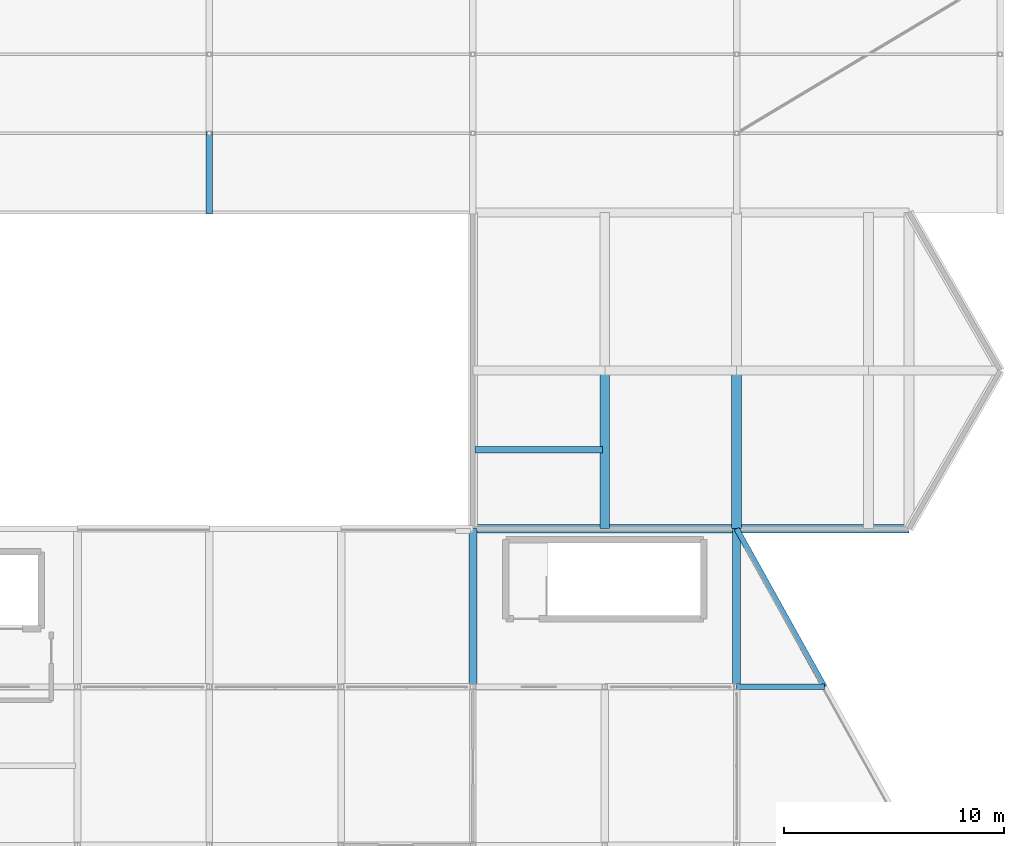
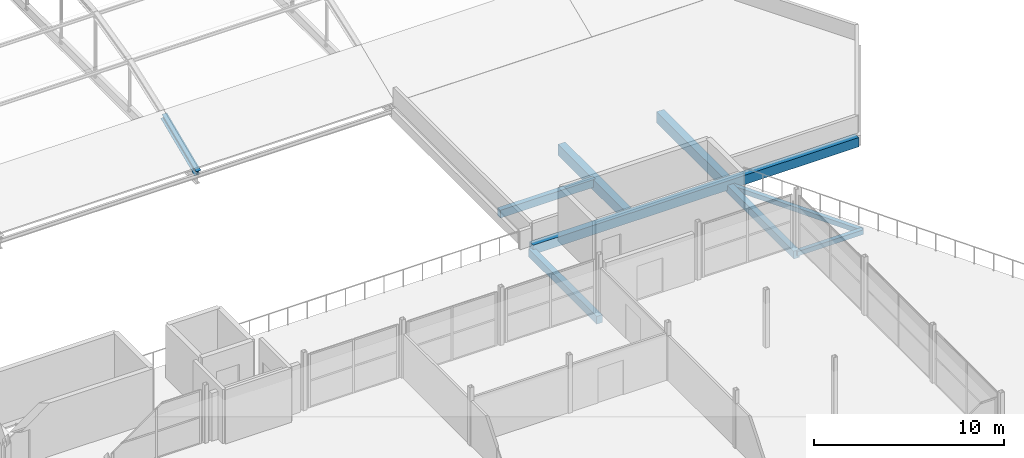
# One storey, part 168 of 239: 9 beams.
"""IFC4 building model written with IfcOpenShell, lengths in metres."""

import ifcopenshell
import ifcopenshell.guid

model = None  # the IFC model being written
_history = None  # IfcOwnerHistory: only IFC2X3 demands one
_inside = {}  # id of a spatial element -> (the spatial element, [elements in it])
_under = {}  # id of a project, library or spatial element -> (it, [spatial elements below it])
_declared = {}  # id of a project -> (the project, [libraries it declares])
_typed = {}  # id of a type object -> (the type object, [elements of that type])
_made_of = {}  # id of a material, layer set ... -> (it, [elements and type objects made of it])


def new_model(schema):
    """Start an empty IFC model of exactly this schema.

    Asked for "IFC4X3", IfcOpenShell would pick the latest addendum, in which some entities
    have other attributes; the version numbers below select the first issue.
    IFC2X3 requires an IfcOwnerHistory on every rooted entity: one is made here for all.
    """
    global model, _history
    if schema == "IFC4X3":
        model = ifcopenshell.file(schema_version=(4, 3, 0, 0))
    else:
        model = ifcopenshell.file(schema=schema)
    _inside.clear()
    _under.clear()
    _declared.clear()
    _typed.clear()
    _made_of.clear()
    _history = None
    if model.schema == "IFC2X3":
        org = make("IfcOrganization", Name="unknown")
        user = make(
            "IfcPersonAndOrganization",
            ThePerson=make("IfcPerson", FamilyName="unknown"),
            TheOrganization=org,
        )
        app = make(
            "IfcApplication",
            ApplicationDeveloper=org,
            Version="unknown",
            ApplicationFullName="unknown",
            ApplicationIdentifier="unknown",
        )
        _history = make(
            "IfcOwnerHistory",
            OwningUser=user,
            OwningApplication=app,
            ChangeAction="ADDED",
            CreationDate=0,
        )
    return model


def make(cls, **values):
    """One entity of the class cls with the attributes given. An attribute that is None is left unset."""
    return model.create_entity(
        cls, **{name: value for name, value in values.items() if value is not None}
    )


def rooted(cls, **values):
    """An entity with a GlobalId (a new one), such as an element, a storey or a relation."""
    return make(cls, GlobalId=ifcopenshell.guid.new(), OwnerHistory=_history, **values)


def si_unit(unit_type, name, prefix=None):
    """IfcSIUnit, for example si_unit("LENGTHUNIT", "METRE", prefix="MILLI")."""
    return make("IfcSIUnit", UnitType=unit_type, Prefix=prefix, Name=name)


def assignment(units):
    """IfcUnitAssignment: the units of a project."""
    return None if units is None else make("IfcUnitAssignment", Units=units)


def point(xyz):
    """IfcCartesianPoint."""
    return None if xyz is None else make("IfcCartesianPoint", Coordinates=xyz)


def direction(xyz):
    """IfcDirection."""
    return None if xyz is None else make("IfcDirection", DirectionRatios=xyz)


def frame(location, z_axis=None, x_axis=None):
    """IfcAxis2Placement3D, a coordinate frame: its origin and axes. An axis left out is left unset."""
    return make(
        "IfcAxis2Placement3D",
        Location=point(location),
        Axis=direction(z_axis),
        RefDirection=direction(x_axis),
    )


def frame_2d(location, x_axis=None):
    """IfcAxis2Placement2D, a coordinate frame in the plane: its origin and x axis."""
    return make(
        "IfcAxis2Placement2D", Location=point(location), RefDirection=direction(x_axis)
    )


def origin():
    """The frame at (0, 0, 0) with its axes left unset."""
    return frame((0.0, 0.0, 0.0))


def origin_2d():
    """The frame at (0, 0) in the plane with its x axis left unset."""
    return frame_2d((0.0, 0.0))


def place(relative_to, where):
    """IfcLocalPlacement: puts the frame where relative to a parent placement (None: the world)."""
    return make(
        "IfcLocalPlacement", PlacementRelTo=relative_to, RelativePlacement=where
    )


def context(
    kind, dimensions, precision=None, world=None, true_north=None, identifier=None
):
    """IfcGeometricRepresentationContext, for example the 3D "Model" context."""
    return make(
        "IfcGeometricRepresentationContext",
        ContextIdentifier=identifier,
        ContextType=kind,
        CoordinateSpaceDimension=dimensions,
        Precision=precision,
        WorldCoordinateSystem=world,
        TrueNorth=true_north,
    )


def subcontext(parent, identifier, kind, view, scale=None):
    """IfcGeometricRepresentationSubContext, for example "Body" below "Model"."""
    return make(
        "IfcGeometricRepresentationSubContext",
        ContextIdentifier=identifier,
        ContextType=kind,
        ParentContext=parent,
        TargetScale=scale,
        TargetView=view,
    )


def project(units=None, contexts=None):
    """IfcProject with its units and contexts."""
    return rooted(
        "IfcProject",
        Name="project",
        RepresentationContexts=contexts,
        UnitsInContext=assignment(units),
    )


def spatial(cls, under=None, at=None, **own):
    """A site, building, storey or space (cls), placed at a placement, below another one or the project."""
    s = rooted(cls, ObjectPlacement=at, **own)
    if under is not None:
        _under.setdefault(under.id(), (under, []))[1].append(s)
    return s


def profile(cls, at=None, kind="AREA", **sizes):
    """A parametric profile (cls). Its sizes go by their IFC names, for example OverallWidth=200.0."""
    return make(cls, ProfileType=kind, Position=at, **sizes)


def rectangle(**sizes):
    """IfcRectangleProfileDef."""
    return profile("IfcRectangleProfileDef", **sizes)


def i_section(**sizes):
    """IfcIShapeProfileDef."""
    return profile("IfcIShapeProfileDef", **sizes)


def extrude(swept, where, along, depth):
    """IfcExtrudedAreaSolid: the profile swept, set in the frame where, extruded along a direction by depth."""
    return make(
        "IfcExtrudedAreaSolid",
        SweptArea=swept,
        Position=where,
        ExtrudedDirection=direction(along),
        Depth=depth,
    )


def shape(context_of_items, identifier, shape_type, items):
    """IfcShapeRepresentation: the items that make up one representation, for example the "Body"."""
    return make(
        "IfcShapeRepresentation",
        ContextOfItems=context_of_items,
        RepresentationIdentifier=identifier,
        RepresentationType=shape_type,
        Items=items,
    )


def material(Name=None, Category=None):
    """IfcMaterial."""
    return make("IfcMaterial", Name=Name, Category=Category)


def material_profile(
    of_material, cross_section, Name=None, Category=None, Priority=None
):
    """IfcMaterialProfile: a cross section and its material."""
    return make(
        "IfcMaterialProfile",
        Name=Name,
        Material=of_material,
        Profile=cross_section,
        Priority=Priority,
        Category=Category,
    )


def profile_set(profiles, Name=None, composite=None):
    """IfcMaterialProfileSet."""
    return make(
        "IfcMaterialProfileSet",
        Name=Name,
        MaterialProfiles=profiles,
        CompositeProfile=composite,
    )


def made_of(thing, what):
    """Note that an element or type object is made of a material, layer set ...; save() writes the relation."""
    if what is not None:
        _made_of.setdefault(what.id(), (what, []))[1].append(thing)
    return thing


def type_object(cls, material=None, **own):
    """A type object (cls), such as IfcWallType, which elements share."""
    return made_of(rooted(cls, **own), material)


def element(
    cls,
    number,
    at=None,
    inside=None,
    cuts=None,
    type_object=None,
    material=None,
    context=None,
    identifier="Body",
    shape_type=None,
    held_by="IfcProductDefinitionShape",
    body=None,
    shapes=None,
    **own,
):
    """One element of the class cls, such as IfcWall. Its Tag is "e" and its number.

    at: its placement. inside: the storey or other place that contains it. cuts: it is an
    opening in that element (IfcRelVoidsElement). A single representation is given by context,
    identifier, shape_type and body (its items); several are given by shapes. held_by: the class
    of the entity that holds the representations. save() writes the other relations.
    """
    e = rooted(cls, Tag="e%d" % number, ObjectPlacement=at, **own)
    if body is not None:
        shapes = [shape(context, identifier, shape_type, body)]
    if shapes is not None:
        e.Representation = make(held_by, Representations=shapes)
    if inside is not None:
        _inside.setdefault(inside.id(), (inside, []))[1].append(e)
    if cuts is not None:
        rooted(
            "IfcRelVoidsElement", RelatingBuildingElement=cuts, RelatedOpeningElement=e
        )
    if type_object is not None:
        _typed.setdefault(type_object.id(), (type_object, []))[1].append(e)
    return made_of(e, material)


def aggregate(whole, parts):
    """IfcRelAggregates: a whole, such as a stair, and the parts it consists of."""
    return rooted("IfcRelAggregates", RelatingObject=whole, RelatedObjects=parts)


def save(model, path):
    """Write the relations noted so far, then the file.

    IfcRelAggregates (storeys below a building ...), IfcRelContainedInSpatialStructure (elements
    in a storey), IfcRelDefinesByType, IfcRelAssociatesMaterial and IfcRelDeclares: one each for
    every whole, place, type object, material and project.
    """
    for whole, parts in _under.values():
        aggregate(whole, parts)
    for where, things in _inside.values():
        rooted(
            "IfcRelContainedInSpatialStructure",
            RelatedElements=things,
            RelatingStructure=where,
        )
    for kind, things in _typed.values():
        rooted("IfcRelDefinesByType", RelatedObjects=things, RelatingType=kind)
    for what, things in _made_of.values():
        rooted("IfcRelAssociatesMaterial", RelatedObjects=things, RelatingMaterial=what)
    for by, libraries in _declared.values():
        rooted("IfcRelDeclares", RelatingContext=by, RelatedDefinitions=libraries)
    model.write(path)


model = new_model("IFC4")

# Units and contexts
model_context = context("Model", 3, precision=1e-05, world=origin(), true_north=direction((0.0, 1.0)))
body_context = subcontext(model_context, "Body", "Model", "MODEL_VIEW")
ifc_project = project(units=[si_unit("LENGTHUNIT", "METRE"), si_unit("AREAUNIT", "SQUARE_METRE"), si_unit("VOLUMEUNIT", "CUBIC_METRE"), si_unit("PLANEANGLEUNIT", "RADIAN"), si_unit("MASSUNIT", "GRAM", prefix="KILO")], contexts=[model_context])

# Site, building, storey
site_placement = place(None, origin())
site = spatial("IfcSite", under=ifc_project, at=site_placement, CompositionType="ELEMENT")
building_placement = place(site_placement, origin())
building = spatial("IfcBuilding", under=site, at=building_placement, Name="Dunvalen Ferry Terminal", CompositionType="ELEMENT")
storey_placement = place(building_placement, frame((0.0, 0.0, 9.840087890625)))
storey = spatial("IfcBuildingStorey", under=building, at=storey_placement, Name="L02", CompositionType="ELEMENT", Elevation=9.840087890625)

# Beams
ifc_material_1 = material(Name="Steel S355", Category="steel")
ifc_material_profile_1 = material_profile(ifc_material_1, i_section(OverallWidth=0.300048828125, OverallDepth=0.389892578125, WebThickness=0.010986328125, FlangeThickness=0.01904296875, FilletRadius=0.027099609375, at=origin_2d()), Name="Steel S355")
ifc_profile_set_1 = profile_set([ifc_material_profile_1], Name="Steel S355")
beam_type_1 = type_object("IfcBeamType", Name="STR-BM-HEA400", PredefinedType="BEAM", material=ifc_profile_set_1)
beam_1_placement = place(storey_placement, frame((132.0, 57.60009765625, 0.0), z_axis=(0.0, 0.920277550042, 0.391266189299), x_axis=(-1.0, 0.0, 0.0)))
element("IfcBeam", 1, at=beam_1_placement, inside=storey, type_object=beam_type_1, Name="Arrivals Hall Barrel-Vault Arch Rib 03.1", PredefinedType="BEAM", context=body_context, shape_type="SweptSolid", body=[
    extrude(i_section(OverallWidth=0.300048828125, OverallDepth=0.389892578125, WebThickness=0.010986328125, FlangeThickness=0.01904296875, FilletRadius=0.027099609375, at=origin_2d()), origin(), (0.0, 0.0, 1.0), 3.91162109375),
])
ifc_material_2 = material(Name="Concrete C35/45", Category="concrete")
ifc_material_profile_2 = material_profile(ifc_material_2, rectangle(XDim=0.300048828125, YDim=0.5, at=origin_2d()), Name="Concrete C35/45")
ifc_profile_set_2 = profile_set([ifc_material_profile_2], Name="Concrete C35/45")
beam_type_2 = type_object("IfcBeamType", Name="STR-BM-RCB500", PredefinedType="JOIST", material=ifc_profile_set_2)
beam_2_placement = place(storey_placement, frame((144.10009765625, 46.800048828125, -0.25), z_axis=(1.0, 0.0, 0.0), x_axis=(0.0, 1.0, 0.0)))
element("IfcBeam", 2, at=beam_2_placement, inside=storey, type_object=beam_type_2, Name="L02 V2A Secondary Joist 001", PredefinedType="JOIST", context=body_context, shape_type="SweptSolid", body=[
    extrude(rectangle(XDim=0.300048828125, YDim=0.5, at=origin_2d()), origin(), (0.0, 0.0, 1.0), 5.7998046875),
])
ifc_material_profile_3 = material_profile(ifc_material_2, rectangle(XDim=0.35009765625, YDim=0.5, at=origin_2d()), Name="Concrete C35/45")
ifc_profile_set_3 = profile_set([ifc_material_profile_3], Name="Concrete C35/45")
beam_type_3 = type_object("IfcBeamType", Name="STR-BM-RCB500W", PredefinedType="JOIST", material=ifc_profile_set_3)
for number, where, z_axis, x_axis, name in (
    (3, (144.0, 36.0, -0.530029296875), (0.0, 1.0, 0.0), (-1.0, 0.0, 0.0), "L02 V4 Primary Girder Y-103"),
    (4, (156.0, 36.0, -0.530029296875), (0.0, 1.0, 0.0), (-1.0, 0.0, 0.0), "L02 V4 Primary Girder Y-113"),
):
    element("IfcBeam", number, at=place(storey_placement, frame(where, z_axis=z_axis, x_axis=x_axis)), inside=storey, type_object=beam_type_3, Name=name, PredefinedType="JOIST", context=body_context, shape_type="SweptSolid", body=[
        extrude(rectangle(XDim=0.35009765625, YDim=0.5, at=origin_2d()), origin(), (0.0, 0.0, 1.0), 7.199951171875),
    ])
ifc_material_profile_4 = material_profile(ifc_material_2, rectangle(XDim=0.39990234375, YDim=0.60009765625, at=origin_2d()), Name="Concrete C35/45")
ifc_profile_set_4 = profile_set([ifc_material_profile_4], Name="Concrete C35/45")
beam_type_4 = type_object("IfcBeamType", Name="STR-BM-RCB600", PredefinedType="BEAM", material=ifc_profile_set_4)
beam_3_placement = place(storey_placement, frame((144.0, 43.199951171875, -0.300048828125), z_axis=(1.0, 0.0, 0.0), x_axis=(0.0, 1.0, 0.0)))
element("IfcBeam", 5, at=beam_3_placement, inside=storey, type_object=beam_type_4, Name="L02 Customs Annex Ring Beam 01", PredefinedType="BEAM", context=body_context, shape_type="SweptSolid", body=[
    extrude(rectangle(XDim=0.39990234375, YDim=0.60009765625, at=origin_2d()), origin(), (0.0, 0.0, 1.0), 19.843017578125),
])
ifc_material_3 = material(Name="Concrete C40/50", Category="concrete")
ifc_material_profile_5 = material_profile(ifc_material_3, rectangle(XDim=0.449951171875, YDim=0.699951171875, at=origin_2d()), Name="Concrete C40/50")
ifc_profile_set_5 = profile_set([ifc_material_profile_5], Name="Concrete C40/50")
beam_type_5 = type_object("IfcBeamType", Name="STR-BM-RCB700", PredefinedType="BEAM", material=ifc_profile_set_5)
for number, where, z_axis, x_axis, name in (
    (6, (150.0, 43.199951171875, -0.35009765625), (0.0, 1.0, 0.0), (-1.0, 0.0, 0.0), "L02 V2A Primary Girder Y-015"),
    (7, (156.0, 43.199951171875, -0.35009765625), (0.0, 1.0, 0.0), (-1.0, 0.0, 0.0), "L02 V2A Primary Girder Y-017"),
):
    element("IfcBeam", number, at=place(storey_placement, frame(where, z_axis=z_axis, x_axis=x_axis)), inside=storey, type_object=beam_type_5, Name=name, PredefinedType="BEAM", context=body_context, shape_type="SweptSolid", body=[
        extrude(rectangle(XDim=0.449951171875, YDim=0.699951171875, at=origin_2d()), origin(), (0.0, 0.0, 1.0), 7.199951171875),
    ])
ifc_material_profile_6 = material_profile(ifc_material_2, rectangle(XDim=0.25, YDim=0.300048828125, at=origin_2d()), Name="Concrete C35/45")
ifc_profile_set_6 = profile_set([ifc_material_profile_6], Name="Concrete C35/45")
beam_type_6 = type_object("IfcBeamType", Name="STR-BM-RCL300", PredefinedType="LINTEL", material=ifc_profile_set_6)
beam_4_placement = place(storey_placement, frame((160.0, 36.0, -0.43017578125), z_axis=(-0.485645447903, 0.874155877937, 0.0), x_axis=(-0.874155877937, -0.485645447903, 0.0)))
element("IfcBeam", 8, at=beam_4_placement, inside=storey, type_object=beam_type_6, Name="L02 Hexagon-Cut Wing Perimeter Beam 6", PredefinedType="LINTEL", context=body_context, shape_type="SweptSolid", body=[
    extrude(rectangle(XDim=0.25, YDim=0.300048828125, at=origin_2d()), origin(), (0.0, 0.0, 1.0), 8.236572265625),
])
beam_5_placement = place(storey_placement, frame((156.0, 36.0, -0.43017578125), z_axis=(1.0, 0.0, 0.0), x_axis=(0.0, 1.0, 0.0)))
element("IfcBeam", 9, at=beam_5_placement, inside=storey, type_object=beam_type_6, Name="L02 Hexagon-Cut Wing Tie Beam Y36", PredefinedType="LINTEL", context=body_context, shape_type="SweptSolid", body=[
    extrude(rectangle(XDim=0.25, YDim=0.300048828125, at=origin_2d()), origin(), (0.0, 0.0, 1.0), 4.0),
])

save(model, "model.ifc")
